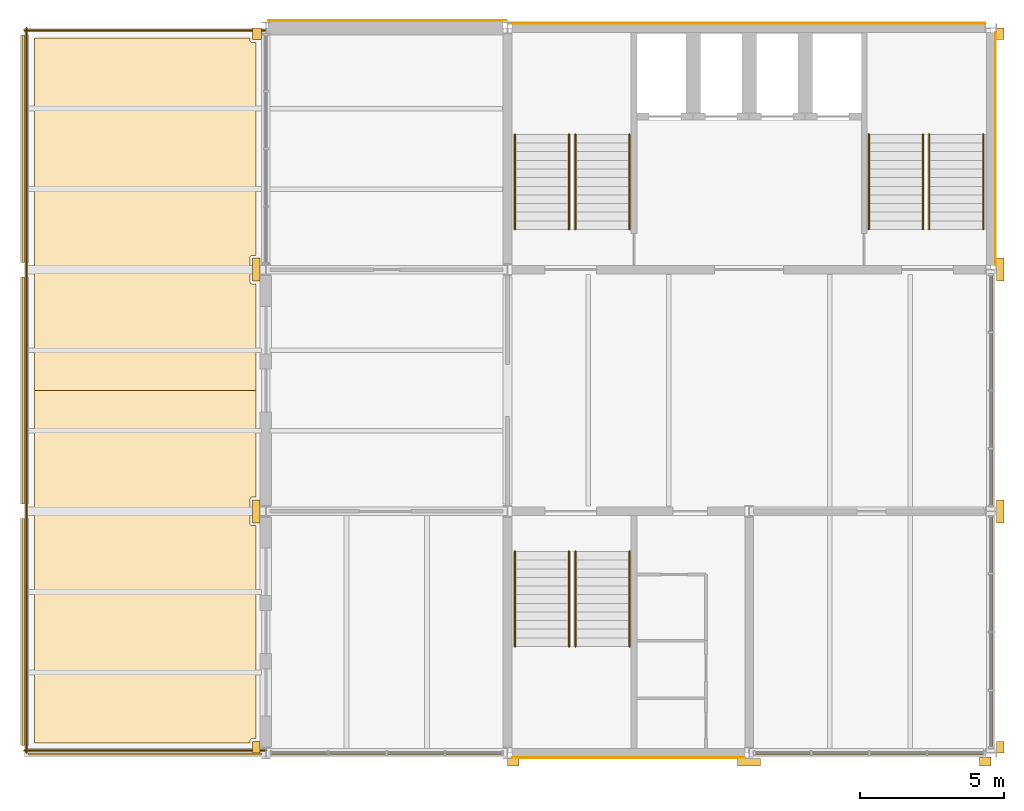
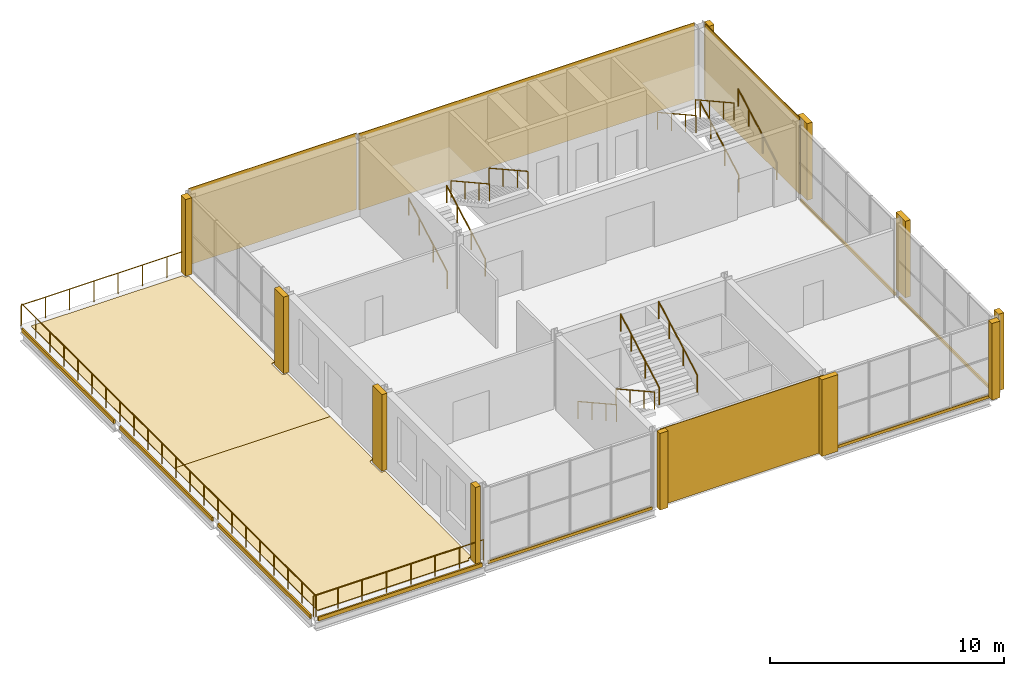
# One storey, part 9 of 9: 25 coverings, 15 railings.
"""IFC4 building model written with IfcOpenShell, lengths in metres."""

from ifc_helpers import new_model, si_unit, direction, frame, origin, origin_2d, place, context, subcontext, project, spatial, polyline, rectangle, circle, outline, extrude, material, layer, layer_set, type_object, element, save


model = new_model("IFC4")

# Units and contexts
model_context = context("Model", 3, precision=1e-05, world=origin(), true_north=direction((0.0, 1.0)))
body_context = subcontext(model_context, "Body", "Model", "MODEL_VIEW")
ifc_project = project(units=[si_unit("LENGTHUNIT", "METRE"), si_unit("AREAUNIT", "SQUARE_METRE"), si_unit("VOLUMEUNIT", "CUBIC_METRE"), si_unit("PLANEANGLEUNIT", "RADIAN"), si_unit("MASSUNIT", "GRAM", prefix="KILO")], contexts=[model_context])

# Site, building, storey
site_placement = place(None, origin())
site = spatial("IfcSite", under=ifc_project, at=site_placement, CompositionType="ELEMENT")
building_placement = place(site_placement, origin())
building = spatial("IfcBuilding", under=site, at=building_placement, Name="Galleria Vessillo Department Store", CompositionType="ELEMENT")
storey_placement = place(building_placement, frame((0.0, 0.0, 47.60009765625)))
storey = spatial("IfcBuildingStorey", under=building, at=storey_placement, Name="L10", CompositionType="ELEMENT", Elevation=47.60009765625)

# Coverings
ifc_material_1 = material(Name="Lime plaster (intonaco) ochre")
ifc_layer_1 = layer(ifc_material_1, 0.030029296875)
ifc_layer_set_1 = layer_set([ifc_layer_1], Name="Lime plaster (intonaco) ochre")
covering_type_1 = type_object("IfcCoveringType", Name="Lime plaster render 30 mm", PredefinedType="CLADDING", material=ifc_layer_set_1)
covering_1_placement = place(storey_placement, frame((96.62255859375, 63.264892578125, 0.0), z_axis=(0.0, 0.0, 1.0), x_axis=(1.0, 0.0, 0.0)))
element("IfcCovering", 1, at=covering_1_placement, inside=storey, type_object=covering_type_1, Name="Wall cladding S-TN-L10-01", PredefinedType="CLADDING", context=body_context, shape_type="SweptSolid", body=[
    extrude(rectangle(XDim=8.29541015625, YDim=0.030029296875, at=origin_2d()), origin(), (0.0, 0.0, 1.0), 4.0),
])
covering_2_placement = place(storey_placement, frame((109.114990234375, 63.1650390625, 0.0), z_axis=(0.0, 0.0, 1.0), x_axis=(1.0, 0.0, 0.0)))
element("IfcCovering", 2, at=covering_2_placement, inside=storey, type_object=covering_type_1, Name="Wall cladding S-CW-TC-PARTY-L10", PredefinedType="CLADDING", context=body_context, shape_type="SweptSolid", body=[
    extrude(rectangle(XDim=16.570068359375, YDim=0.030029296875, at=origin_2d()), origin(), (0.0, 0.0, 1.0), 4.0),
])
ifc_material_2 = material(Name="Botticino limestone ashlar", Category="masonry")
ifc_layer_2 = layer(ifc_material_2, 0.14990234375)
ifc_layer_set_2 = layer_set([ifc_layer_2], Name="Botticino limestone ashlar")
covering_type_2 = type_object("IfcCoveringType", Name="Limestone slab-edge fascia 150 mm", PredefinedType="CLADDING", material=ifc_layer_set_2)
covering_3_placement = place(storey_placement, frame((83.9599609375, 42.0, -0.2001953125), z_axis=(0.0, 0.0, 1.0), x_axis=(1.0, 0.0, 0.0)))
element("IfcCovering", 3, at=covering_3_placement, inside=storey, type_object=covering_type_2, Name="Slab-edge fascia TW-L09-01", PredefinedType="CLADDING", context=body_context, shape_type="SweptSolid", body=[
    extrude(rectangle(XDim=0.080078125, YDim=7.89990234375, at=origin_2d()), origin(), (0.0, 0.0, 1.0), 0.199951171875),
])
covering_4_placement = place(storey_placement, frame((83.9599609375, 50.39990234375, -0.2001953125), z_axis=(0.0, 0.0, 1.0), x_axis=(1.0, 0.0, 0.0)))
element("IfcCovering", 4, at=covering_4_placement, inside=storey, type_object=covering_type_2, Name="Slab-edge fascia TW-L09-02", PredefinedType="CLADDING", context=body_context, shape_type="SweptSolid", body=[
    extrude(rectangle(XDim=0.080078125, YDim=7.900146484375, at=origin_2d()), origin(), (0.0, 0.0, 1.0), 0.199951171875),
])
covering_5_placement = place(storey_placement, frame((83.9599609375, 58.800048828125, -0.2001953125), z_axis=(0.0, 0.0, 1.0), x_axis=(1.0, 0.0, 0.0)))
element("IfcCovering", 5, at=covering_5_placement, inside=storey, type_object=covering_type_2, Name="Slab-edge fascia TW-L09-03", PredefinedType="CLADDING", context=body_context, shape_type="SweptSolid", body=[
    extrude(rectangle(XDim=0.080078125, YDim=7.89990234375, at=origin_2d()), origin(), (0.0, 0.0, 1.0), 0.199951171875),
])
covering_6_placement = place(storey_placement, frame((88.199951171875, 37.760009765625, -0.2001953125), z_axis=(0.0, 0.0, 1.0), x_axis=(1.0, 0.0, 0.0)))
element("IfcCovering", 6, at=covering_6_placement, inside=storey, type_object=covering_type_2, Name="Slab-edge fascia TS-L09-01", PredefinedType="CLADDING", context=body_context, shape_type="SweptSolid", body=[
    extrude(rectangle(XDim=8.099853515625, YDim=0.080078125, at=origin_2d()), origin(), (0.0, 0.0, 1.0), 0.199951171875),
])
covering_7_placement = place(storey_placement, frame((96.60009765625, 37.760009765625, -0.14990234375), z_axis=(0.0, 0.0, 1.0), x_axis=(1.0, 0.0, 0.0)))
element("IfcCovering", 7, at=covering_7_placement, inside=storey, type_object=covering_type_2, Name="Slab-edge fascia TS-L09-02", PredefinedType="CLADDING", context=body_context, shape_type="SweptSolid", body=[
    extrude(rectangle(XDim=8.10009765625, YDim=0.080078125, at=origin_2d()), origin(), (0.0, 0.0, 1.0), 0.14990234375),
])
covering_8_placement = place(storey_placement, frame((113.35009765625, 37.760009765625, -0.14990234375), z_axis=(0.0, 0.0, 1.0), x_axis=(1.0, 0.0, 0.0)))
element("IfcCovering", 8, at=covering_8_placement, inside=storey, type_object=covering_type_2, Name="Slab-edge fascia TS-L09-03", PredefinedType="CLADDING", context=body_context, shape_type="SweptSolid", body=[
    extrude(rectangle(XDim=8.000244140625, YDim=0.080078125, at=origin_2d()), origin(), (0.0, 0.0, 1.0), 0.14990234375),
])
covering_9_placement = place(storey_placement, frame((117.64013671875, 42.0, -0.14990234375), z_axis=(0.0, 0.0, 1.0), x_axis=(1.0, 0.0, 0.0)))
element("IfcCovering", 9, at=covering_9_placement, inside=storey, type_object=covering_type_2, Name="Slab-edge fascia TE-L09-01", PredefinedType="CLADDING", context=body_context, shape_type="SweptSolid", body=[
    extrude(rectangle(XDim=0.080078125, YDim=8.099853515625, at=origin_2d()), origin(), (0.0, 0.0, 1.0), 0.14990234375),
])
covering_10_placement = place(storey_placement, frame((117.64013671875, 50.39990234375, -0.14990234375), z_axis=(0.0, 0.0, 1.0), x_axis=(1.0, 0.0, 0.0)))
element("IfcCovering", 10, at=covering_10_placement, inside=storey, type_object=covering_type_2, Name="Slab-edge fascia TE-L09-02", PredefinedType="CLADDING", context=body_context, shape_type="SweptSolid", body=[
    extrude(rectangle(XDim=0.080078125, YDim=8.10009765625, at=origin_2d()), origin(), (0.0, 0.0, 1.0), 0.14990234375),
])
ifc_material_3 = material(Name="Botticino limestone ashlar", Category="masonry")
ifc_layer_3 = layer(ifc_material_3, 0.31005859375)
ifc_layer_set_3 = layer_set([ifc_layer_3], Name="Botticino limestone ashlar")
covering_type_3 = type_object("IfcCoveringType", Name="Limestone tower pilaster strip", PredefinedType="CLADDING", material=ifc_layer_set_3)
covering_11_placement = place(storey_placement, frame((92.06982421875, 38.0, 0.0), z_axis=(0.0, 0.0, 1.0), x_axis=(1.0, 0.0, 0.0)))
element("IfcCovering", 11, at=covering_11_placement, inside=storey, type_object=covering_type_3, Name="Tower pilaster strip W L10 37.8", PredefinedType="CLADDING", context=body_context, shape_type="SweptSolid", body=[
    extrude(rectangle(XDim=0.260009765625, YDim=0.39990234375, at=origin_2d()), origin(), (0.0, 0.0, 1.0), 4.0),
])
for number, where, z_axis, x_axis, name in (
    (12, (92.06982421875, 46.199951171875, 0.0), (0.0, 0.0, 1.0), (1.0, 0.0, 0.0), "Tower pilaster strip W L10 46.2"),
    (13, (92.06982421875, 54.60009765625, 0.0), (0.0, 0.0, 1.0), (1.0, 0.0, 0.0), "Tower pilaster strip W L10 54.6"),
):
    element("IfcCovering", number, at=place(storey_placement, frame(where, z_axis=z_axis, x_axis=x_axis)), inside=storey, type_object=covering_type_3, Name=name, PredefinedType="CLADDING", context=body_context, shape_type="SweptSolid", body=[
        extrude(rectangle(XDim=0.260009765625, YDim=0.800048828125, at=origin_2d()), origin(), (0.0, 0.0, 1.0), 4.0),
    ])
covering_12_placement = place(storey_placement, frame((92.094970703125, 62.800048828125, 0.0), z_axis=(0.0, 0.0, 1.0), x_axis=(1.0, 0.0, 0.0)))
element("IfcCovering", 14, at=covering_12_placement, inside=storey, type_object=covering_type_3, Name="Tower pilaster strip W L10 63.0", PredefinedType="CLADDING", context=body_context, shape_type="SweptSolid", body=[
    extrude(rectangle(XDim=0.31005859375, YDim=0.39990234375, at=origin_2d()), origin(), (0.0, 0.0, 1.0), 4.0),
])
covering_13_placement = place(storey_placement, frame((117.929931640625, 38.0, 0.0), z_axis=(0.0, 0.0, 1.0), x_axis=(1.0, 0.0, 0.0)))
element("IfcCovering", 15, at=covering_13_placement, inside=storey, type_object=covering_type_3, Name="Tower pilaster strip E L10 37.8", PredefinedType="CLADDING", context=body_context, shape_type="SweptSolid", body=[
    extrude(rectangle(XDim=0.260009765625, YDim=0.39990234375, at=origin_2d()), origin(), (0.0, 0.0, 1.0), 4.0),
])
for number, where, z_axis, x_axis, name in (
    (16, (117.929931640625, 46.199951171875, 0.0), (0.0, 0.0, 1.0), (1.0, 0.0, 0.0), "Tower pilaster strip E L10 46.2"),
    (17, (117.929931640625, 54.60009765625, 0.0), (0.0, 0.0, 1.0), (1.0, 0.0, 0.0), "Tower pilaster strip E L10 54.6"),
):
    element("IfcCovering", number, at=place(storey_placement, frame(where, z_axis=z_axis, x_axis=x_axis)), inside=storey, type_object=covering_type_3, Name=name, PredefinedType="CLADDING", context=body_context, shape_type="SweptSolid", body=[
        extrude(rectangle(XDim=0.260009765625, YDim=0.800048828125, at=origin_2d()), origin(), (0.0, 0.0, 1.0), 4.0),
    ])
covering_14_placement = place(storey_placement, frame((117.929931640625, 62.800048828125, 0.0), z_axis=(0.0, 0.0, 1.0), x_axis=(1.0, 0.0, 0.0)))
element("IfcCovering", 18, at=covering_14_placement, inside=storey, type_object=covering_type_3, Name="Tower pilaster strip E L10 63.0", PredefinedType="CLADDING", context=body_context, shape_type="SweptSolid", body=[
    extrude(rectangle(XDim=0.260009765625, YDim=0.39990234375, at=origin_2d()), origin(), (0.0, 0.0, 1.0), 4.0),
])
covering_15_placement = place(storey_placement, frame((101.0, 37.469970703125, 0.0), z_axis=(0.0, 0.0, 1.0), x_axis=(1.0, 0.0, 0.0)))
element("IfcCovering", 19, at=covering_15_placement, inside=storey, type_object=covering_type_3, Name="Tower pilaster strip S L10 100.8", PredefinedType="CLADDING", context=body_context, shape_type="SweptSolid", body=[
    extrude(rectangle(XDim=0.39990234375, YDim=0.260009765625, at=origin_2d()), origin(), (0.0, 0.0, 1.0), 4.0),
])
covering_16_placement = place(storey_placement, frame((109.199951171875, 37.469970703125, 0.0), z_axis=(0.0, 0.0, 1.0), x_axis=(1.0, 0.0, 0.0)))
element("IfcCovering", 20, at=covering_16_placement, inside=storey, type_object=covering_type_3, Name="Tower pilaster strip S L10 109.2", PredefinedType="CLADDING", context=body_context, shape_type="SweptSolid", body=[
    extrude(rectangle(XDim=0.800048828125, YDim=0.260009765625, at=origin_2d()), origin(), (0.0, 0.0, 1.0), 4.0),
])
covering_17_placement = place(storey_placement, frame((117.400146484375, 37.4951171875, 0.0), z_axis=(0.0, 0.0, 1.0), x_axis=(1.0, 0.0, 0.0)))
element("IfcCovering", 21, at=covering_17_placement, inside=storey, type_object=covering_type_3, Name="Tower pilaster strip S L10 117.6", PredefinedType="CLADDING", context=body_context, shape_type="SweptSolid", body=[
    extrude(rectangle(XDim=0.39990234375, YDim=0.31005859375, at=origin_2d()), origin(), (0.0, 0.0, 1.0), 4.0),
])
ifc_material_4 = material(Name="Botticino limestone ashlar", Category="masonry")
ifc_layer_4 = layer(ifc_material_4, 0.030029296875)
ifc_layer_set_4 = layer_set([ifc_layer_4], Name="Botticino limestone ashlar")
covering_type_4 = type_object("IfcCoveringType", Name="Limestone wall cladding 30 mm", PredefinedType="CLADDING", material=ifc_layer_set_4)
covering_18_placement = place(storey_placement, frame((117.76513671875, 58.800048828125, 0.0), z_axis=(0.0, 0.0, 1.0), x_axis=(1.0, 0.0, 0.0)))
element("IfcCovering", 22, at=covering_18_placement, inside=storey, type_object=covering_type_4, Name="Wall cladding S-CW-TC-EAST-L10", PredefinedType="CLADDING", context=body_context, shape_type="SweptSolid", body=[
    extrude(rectangle(XDim=0.030029296875, YDim=8.099853515625, at=origin_2d()), origin(), (0.0, 0.0, 1.0), 4.0),
])
covering_19_placement = place(storey_placement, frame((105.0, 37.635009765625, 0.0), z_axis=(0.0, 0.0, 1.0), x_axis=(1.0, 0.0, 0.0)))
element("IfcCovering", 23, at=covering_19_placement, inside=storey, type_object=covering_type_4, Name="Wall cladding S-CW-TS-PARTY-L10", PredefinedType="CLADDING", context=body_context, shape_type="SweptSolid", body=[
    extrude(rectangle(XDim=8.099853515625, YDim=0.030029296875, at=origin_2d()), origin(), (0.0, 0.0, 1.0), 4.0),
])
ifc_material_5 = material(Name="Serizzo granite paving", Category="masonry")
ifc_layer_5 = layer(ifc_material_5, 0.0400390625)
ifc_layer_set_5 = layer_set([ifc_layer_5], Name="Serizzo granite paving")
covering_type_5 = type_object("IfcCoveringType", Name="Serizzo stone terrace paving 40 mm", PredefinedType="FLOORING", material=ifc_layer_set_5)
covering_20_placement = place(storey_placement, origin())
element("IfcCovering", 24, at=covering_20_placement, inside=storey, type_object=covering_type_5, Name="Terrace paving L10 field 1", PredefinedType="FLOORING", context=body_context, shape_type="SweptSolid", body=[
    extrude(outline(polyline([(92.0498046875, 46.699951171875), (91.93994140625, 46.699951171875), (91.93017578125, 46.699462890625), (91.92041015625, 46.697998046875), (91.910888671875, 46.69580078125), (91.901611328125, 46.6923828125), (91.892822265625, 46.688232421875), (91.88427734375, 46.68310546875), (91.87646484375, 46.67724609375), (91.869140625, 46.670654296875), (91.862548828125, 46.663330078125), (91.856689453125, 46.655517578125), (91.851806640625, 46.647216796875), (91.847412109375, 46.63818359375), (91.84423828125, 46.629150390625), (91.841796875, 46.61962890625), (91.84033203125, 46.60986328125), (91.83984375, 46.60009765625), (91.83984375, 45.800048828125), (91.84033203125, 45.790283203125), (91.841796875, 45.780517578125), (91.84423828125, 45.77099609375), (91.847412109375, 45.76171875), (91.851806640625, 45.7529296875), (91.856689453125, 45.744384765625), (91.862548828125, 45.736572265625), (91.869140625, 45.729248046875), (91.87646484375, 45.72265625), (91.88427734375, 45.716796875), (91.892822265625, 45.7119140625), (91.901611328125, 45.70751953125), (91.910888671875, 45.704345703125), (91.92041015625, 45.701904296875), (91.93017578125, 45.700439453125), (91.93994140625, 45.699951171875), (92.0498046875, 45.699951171875), (92.0498046875, 38.300048828125), (91.93994140625, 38.300048828125), (91.93017578125, 38.299560546875), (91.92041015625, 38.298095703125), (91.910888671875, 38.295654296875), (91.901611328125, 38.29248046875), (91.892822265625, 38.2880859375), (91.88427734375, 38.283203125), (91.87646484375, 38.27734375), (91.869140625, 38.270751953125), (91.862548828125, 38.263427734375), (91.856689453125, 38.255615234375), (91.851806640625, 38.2470703125), (91.847412109375, 38.23828125), (91.84423828125, 38.22900390625), (91.841796875, 38.219482421875), (91.84033203125, 38.209716796875), (91.83984375, 38.199951171875), (91.83984375, 38.150146484375), (84.35009765625, 38.150146484375), (84.35009765625, 50.39990234375), (92.0498046875, 50.39990234375), (92.0498046875, 46.699951171875)])), origin(), (0.0, 0.0, 1.0), 0.0400390625),
])
covering_21_placement = place(storey_placement, origin())
element("IfcCovering", 25, at=covering_21_placement, inside=storey, type_object=covering_type_5, Name="Terrace paving L10 field 2", PredefinedType="FLOORING", context=body_context, shape_type="SweptSolid", body=[
    extrude(outline(polyline([(91.83984375, 62.64990234375), (91.83984375, 62.60009765625), (91.84033203125, 62.590087890625), (91.841796875, 62.58056640625), (91.84423828125, 62.571044921875), (91.847412109375, 62.561767578125), (91.851806640625, 62.552978515625), (91.856689453125, 62.54443359375), (91.862548828125, 62.53662109375), (91.869140625, 62.529296875), (91.87646484375, 62.522705078125), (91.88427734375, 62.516845703125), (91.892822265625, 62.51171875), (91.901611328125, 62.507568359375), (91.910888671875, 62.50439453125), (91.92041015625, 62.501953125), (91.93017578125, 62.50048828125), (91.93994140625, 62.5), (92.0498046875, 62.5), (92.0498046875, 55.10009765625), (91.93994140625, 55.10009765625), (91.93017578125, 55.099609375), (91.92041015625, 55.09814453125), (91.910888671875, 55.095703125), (91.901611328125, 55.092529296875), (91.892822265625, 55.08837890625), (91.88427734375, 55.083251953125), (91.87646484375, 55.077392578125), (91.869140625, 55.07080078125), (91.862548828125, 55.0634765625), (91.856689453125, 55.0556640625), (91.851806640625, 55.047119140625), (91.847412109375, 55.038330078125), (91.84423828125, 55.029052734375), (91.841796875, 55.01953125), (91.84033203125, 55.010009765625), (91.83984375, 55.0), (91.83984375, 54.2001953125), (91.84033203125, 54.190185546875), (91.841796875, 54.1806640625), (91.84423828125, 54.171142578125), (91.847412109375, 54.161865234375), (91.851806640625, 54.153076171875), (91.856689453125, 54.14453125), (91.862548828125, 54.13671875), (91.869140625, 54.12939453125), (91.87646484375, 54.122802734375), (91.88427734375, 54.116943359375), (91.892822265625, 54.11181640625), (91.901611328125, 54.107666015625), (91.910888671875, 54.1044921875), (91.92041015625, 54.10205078125), (91.93017578125, 54.1005859375), (91.93994140625, 54.10009765625), (92.0498046875, 54.10009765625), (92.0498046875, 50.39990234375), (84.35009765625, 50.39990234375), (84.35009765625, 62.64990234375), (91.83984375, 62.64990234375)])), origin(), (0.0, 0.0, 1.0), 0.0400390625),
])

# Railings
ifc_material_6 = material(Name="Stainless steel tube", Category="steel")
railing_type_1 = type_object("IfcRailingType", Name="Stair handrail steel tube 48 mm", PredefinedType="HANDRAIL", material=ifc_material_6)
for number, where, name in (
    (26, (101.06005859375, 56.0, 0.166748046875), "Handrail ST8 L10 flight 1A"),
    (27, (102.93994140625, 56.0, 0.166748046875), "Handrail ST8 L10 flight 1B"),
):
    element("IfcRailing", number, at=place(storey_placement, frame(where)), inside=storey, type_object=railing_type_1, Name=name, PredefinedType="HANDRAIL", context=body_context, shape_type="SweptSolid", body=[
        extrude(circle(Radius=0.02392578125, at=origin_2d()), frame((0.0, 0.0, 0.89599609375), z_axis=(0.0, 0.874199221805, 0.485567421267), x_axis=(-1.0, 0.0, 0.0)), (0.0, 0.0, 1.0), 1.37255859375),
        extrude(circle(Radius=0.02392578125, at=origin_2d()), frame((0.0, 1.199951171875, 1.5625), z_axis=(0.0, 0.874123717778, 0.485703331282), x_axis=(-1.0, 0.0, 0.0)), (0.0, 0.0, 1.0), 1.372802734375),
        extrude(circle(Radius=0.02392578125, at=origin_2d()), frame((0.0, 2.39990234375, 2.22900390625), z_axis=(0.0, 0.874190826042, 0.485582536407), x_axis=(-1.0, 0.0, 0.0)), (0.0, 0.0, 1.0), 1.02978515625),
        extrude(circle(Radius=0.02099609375, at=origin_2d()), origin(), (0.0, 0.0, 1.0), 0.871826171875),
        extrude(circle(Radius=0.02099609375, at=origin_2d()), frame((0.0, 1.199951171875, 0.66650390625)), (0.0, 0.0, 1.0), 0.871826171875),
        extrude(circle(Radius=0.02099609375, at=origin_2d()), frame((0.0, 2.39990234375, 1.333251953125)), (0.0, 0.0, 1.0), 0.871826171875),
        extrude(circle(Radius=0.02099609375, at=origin_2d()), frame((0.0, 3.300048828125, 1.833251953125)), (0.0, 0.0, 1.0), 0.871826171875),
    ])
for number, where, name in (
    (28, (105.0400390625, 59.300048828125, 2.166748046875), "Handrail ST8 L10 flight 2A"),
    (29, (103.16015625, 59.300048828125, 2.166748046875), "Handrail ST8 L10 flight 2B"),
):
    element("IfcRailing", number, at=place(storey_placement, frame(where)), inside=storey, type_object=railing_type_1, Name=name, PredefinedType="HANDRAIL", context=body_context, shape_type="SweptSolid", body=[
        extrude(circle(Radius=0.02392578125, at=origin_2d()), frame((0.0, 0.0, 0.89599609375), z_axis=(0.0, -0.874199221805, 0.485567421267), x_axis=(1.0, 0.0, 0.0)), (0.0, 0.0, 1.0), 1.37255859375),
        extrude(circle(Radius=0.02392578125, at=origin_2d()), frame((0.0, -1.199951171875, 1.5625), z_axis=(0.0, -0.874123717778, 0.485703331282), x_axis=(1.0, 0.0, 0.0)), (0.0, 0.0, 1.0), 1.372802734375),
        extrude(circle(Radius=0.02392578125, at=origin_2d()), frame((0.0, -2.39990234375, 2.22900390625), z_axis=(0.0, -0.874190826042, 0.485582536407), x_axis=(1.0, 0.0, 0.0)), (0.0, 0.0, 1.0), 1.02978515625),
        extrude(circle(Radius=0.02099609375, at=origin_2d()), origin(), (0.0, 0.0, 1.0), 0.871826171875),
        extrude(circle(Radius=0.02099609375, at=origin_2d()), frame((0.0, -1.199951171875, 0.66650390625)), (0.0, 0.0, 1.0), 0.871826171875),
        extrude(circle(Radius=0.02099609375, at=origin_2d()), frame((0.0, -2.39990234375, 1.333251953125)), (0.0, 0.0, 1.0), 0.871826171875),
        extrude(circle(Radius=0.02099609375, at=origin_2d()), frame((0.0, -3.300048828125, 1.833251953125)), (0.0, 0.0, 1.0), 0.871826171875),
    ])
for number, where, name in (
    (30, (115.4599609375, 56.0, 0.166748046875), "Handrail ST9 L10 flight 1A"),
    (31, (117.33984375, 56.0, 0.166748046875), "Handrail ST9 L10 flight 1B"),
):
    element("IfcRailing", number, at=place(storey_placement, frame(where)), inside=storey, type_object=railing_type_1, Name=name, PredefinedType="HANDRAIL", context=body_context, shape_type="SweptSolid", body=[
        extrude(circle(Radius=0.02392578125, at=origin_2d()), frame((0.0, 0.0, 0.89599609375), z_axis=(0.0, 0.874199221805, 0.485567421267), x_axis=(-1.0, 0.0, 0.0)), (0.0, 0.0, 1.0), 1.37255859375),
        extrude(circle(Radius=0.02392578125, at=origin_2d()), frame((0.0, 1.199951171875, 1.5625), z_axis=(0.0, 0.874123717778, 0.485703331282), x_axis=(-1.0, 0.0, 0.0)), (0.0, 0.0, 1.0), 1.372802734375),
        extrude(circle(Radius=0.02392578125, at=origin_2d()), frame((0.0, 2.39990234375, 2.22900390625), z_axis=(0.0, 0.874190826042, 0.485582536407), x_axis=(-1.0, 0.0, 0.0)), (0.0, 0.0, 1.0), 1.02978515625),
        extrude(circle(Radius=0.02099609375, at=origin_2d()), origin(), (0.0, 0.0, 1.0), 0.871826171875),
        extrude(circle(Radius=0.02099609375, at=origin_2d()), frame((0.0, 1.199951171875, 0.66650390625)), (0.0, 0.0, 1.0), 0.871826171875),
        extrude(circle(Radius=0.02099609375, at=origin_2d()), frame((0.0, 2.39990234375, 1.333251953125)), (0.0, 0.0, 1.0), 0.871826171875),
        extrude(circle(Radius=0.02099609375, at=origin_2d()), frame((0.0, 3.300048828125, 1.833251953125)), (0.0, 0.0, 1.0), 0.871826171875),
    ])
for number, where, name in (
    (32, (115.239990234375, 59.300048828125, 2.166748046875), "Handrail ST9 L10 flight 2A"),
    (33, (113.360107421875, 59.300048828125, 2.166748046875), "Handrail ST9 L10 flight 2B"),
    (34, (102.93994140625, 44.800048828125, 0.166748046875), "Handrail ST12 L10 flight 1A"),
    (35, (101.06005859375, 44.800048828125, 0.166748046875), "Handrail ST12 L10 flight 1B"),
):
    element("IfcRailing", number, at=place(storey_placement, frame(where)), inside=storey, type_object=railing_type_1, Name=name, PredefinedType="HANDRAIL", context=body_context, shape_type="SweptSolid", body=[
        extrude(circle(Radius=0.02392578125, at=origin_2d()), frame((0.0, 0.0, 0.89599609375), z_axis=(0.0, -0.874199221805, 0.485567421267), x_axis=(1.0, 0.0, 0.0)), (0.0, 0.0, 1.0), 1.37255859375),
        extrude(circle(Radius=0.02392578125, at=origin_2d()), frame((0.0, -1.199951171875, 1.5625), z_axis=(0.0, -0.874123717778, 0.485703331282), x_axis=(1.0, 0.0, 0.0)), (0.0, 0.0, 1.0), 1.372802734375),
        extrude(circle(Radius=0.02392578125, at=origin_2d()), frame((0.0, -2.39990234375, 2.22900390625), z_axis=(0.0, -0.874190826042, 0.485582536407), x_axis=(1.0, 0.0, 0.0)), (0.0, 0.0, 1.0), 1.02978515625),
        extrude(circle(Radius=0.02099609375, at=origin_2d()), origin(), (0.0, 0.0, 1.0), 0.871826171875),
        extrude(circle(Radius=0.02099609375, at=origin_2d()), frame((0.0, -1.199951171875, 0.66650390625)), (0.0, 0.0, 1.0), 0.871826171875),
        extrude(circle(Radius=0.02099609375, at=origin_2d()), frame((0.0, -2.39990234375, 1.333251953125)), (0.0, 0.0, 1.0), 0.871826171875),
        extrude(circle(Radius=0.02099609375, at=origin_2d()), frame((0.0, -3.300048828125, 1.833251953125)), (0.0, 0.0, 1.0), 0.871826171875),
    ])
for number, where, name in (
    (36, (103.16015625, 41.5, 2.166748046875), "Handrail ST12 L10 flight 2A"),
    (37, (105.0400390625, 41.5, 2.166748046875), "Handrail ST12 L10 flight 2B"),
):
    element("IfcRailing", number, at=place(storey_placement, frame(where)), inside=storey, type_object=railing_type_1, Name=name, PredefinedType="HANDRAIL", context=body_context, shape_type="SweptSolid", body=[
        extrude(circle(Radius=0.02392578125, at=origin_2d()), frame((0.0, 0.0, 0.89599609375), z_axis=(0.0, 0.874199221805, 0.485567421267), x_axis=(-1.0, 0.0, 0.0)), (0.0, 0.0, 1.0), 1.37255859375),
        extrude(circle(Radius=0.02392578125, at=origin_2d()), frame((0.0, 1.199951171875, 1.5625), z_axis=(0.0, 0.874123717778, 0.485703331282), x_axis=(-1.0, 0.0, 0.0)), (0.0, 0.0, 1.0), 1.372802734375),
        extrude(circle(Radius=0.02392578125, at=origin_2d()), frame((0.0, 2.39990234375, 2.22900390625), z_axis=(0.0, 0.874190826042, 0.485582536407), x_axis=(-1.0, 0.0, 0.0)), (0.0, 0.0, 1.0), 1.02978515625),
        extrude(circle(Radius=0.02099609375, at=origin_2d()), origin(), (0.0, 0.0, 1.0), 0.871826171875),
        extrude(circle(Radius=0.02099609375, at=origin_2d()), frame((0.0, 1.199951171875, 0.66650390625)), (0.0, 0.0, 1.0), 0.871826171875),
        extrude(circle(Radius=0.02099609375, at=origin_2d()), frame((0.0, 2.39990234375, 1.333251953125)), (0.0, 0.0, 1.0), 0.871826171875),
        extrude(circle(Radius=0.02099609375, at=origin_2d()), frame((0.0, 3.300048828125, 1.833251953125)), (0.0, 0.0, 1.0), 0.871826171875),
    ])
ifc_material_7 = material(Name="Stainless steel tube", Category="steel")
railing_type_2 = type_object("IfcRailingType", Name="Terrace edge guard 1100 mm", PredefinedType="GUARDRAIL", material=ifc_material_7)
railing_placement = place(storey_placement, frame((84.080078125, 37.800048828125, 0.0)))
element("IfcRailing", 38, at=railing_placement, inside=storey, type_object=railing_type_2, Name="Terrace guard L10-01", PredefinedType="GUARDRAIL", context=body_context, shape_type="SweptSolid", body=[
    extrude(circle(Radius=0.02392578125, at=origin_2d()), frame((0.0, 0.0, 1.076171875), z_axis=(0.0, 1.0, 0.0), x_axis=(-1.0, 0.0, 0.0)), (0.0, 0.0, 1.0), 25.199951171875),
    extrude(circle(Radius=0.02099609375, at=origin_2d()), origin(), (0.0, 0.0, 1.0), 1.052001953125),
    extrude(circle(Radius=0.02099609375, at=origin_2d()), frame((0.0, 1.199951171875, 0.0)), (0.0, 0.0, 1.0), 1.052001953125),
    extrude(circle(Radius=0.02099609375, at=origin_2d()), frame((0.0, 2.39990234375, 0.0)), (0.0, 0.0, 1.0), 1.052001953125),
    extrude(circle(Radius=0.02099609375, at=origin_2d()), frame((0.0, 3.60009765625, 0.0)), (0.0, 0.0, 1.0), 1.052001953125),
    extrude(circle(Radius=0.02099609375, at=origin_2d()), frame((0.0, 4.800048828125, 0.0)), (0.0, 0.0, 1.0), 1.052001953125),
    extrude(circle(Radius=0.02099609375, at=origin_2d()), frame((0.0, 6.0, 0.0)), (0.0, 0.0, 1.0), 1.052001953125),
    extrude(circle(Radius=0.02099609375, at=origin_2d()), frame((0.0, 7.199951171875, 0.0)), (0.0, 0.0, 1.0), 1.052001953125),
    extrude(circle(Radius=0.02099609375, at=origin_2d()), frame((0.0, 8.39990234375, 0.0)), (0.0, 0.0, 1.0), 1.052001953125),
    extrude(circle(Radius=0.02099609375, at=origin_2d()), frame((0.0, 9.60009765625, 0.0)), (0.0, 0.0, 1.0), 1.052001953125),
    extrude(circle(Radius=0.02099609375, at=origin_2d()), frame((0.0, 10.800048828125, 0.0)), (0.0, 0.0, 1.0), 1.052001953125),
    extrude(circle(Radius=0.02099609375, at=origin_2d()), frame((0.0, 12.0, 0.0)), (0.0, 0.0, 1.0), 1.052001953125),
    extrude(circle(Radius=0.02099609375, at=origin_2d()), frame((0.0, 13.199951171875, 0.0)), (0.0, 0.0, 1.0), 1.052001953125),
    extrude(circle(Radius=0.02099609375, at=origin_2d()), frame((0.0, 14.39990234375, 0.0)), (0.0, 0.0, 1.0), 1.052001953125),
    extrude(circle(Radius=0.02099609375, at=origin_2d()), frame((0.0, 15.599853515625, 0.0)), (0.0, 0.0, 1.0), 1.052001953125),
    extrude(circle(Radius=0.02099609375, at=origin_2d()), frame((0.0, 16.800048828125, 0.0)), (0.0, 0.0, 1.0), 1.052001953125),
    extrude(circle(Radius=0.02099609375, at=origin_2d()), frame((0.0, 18.0, 0.0)), (0.0, 0.0, 1.0), 1.052001953125),
    extrude(circle(Radius=0.02099609375, at=origin_2d()), frame((0.0, 19.199951171875, 0.0)), (0.0, 0.0, 1.0), 1.052001953125),
    extrude(circle(Radius=0.02099609375, at=origin_2d()), frame((0.0, 20.39990234375, 0.0)), (0.0, 0.0, 1.0), 1.052001953125),
    extrude(circle(Radius=0.02099609375, at=origin_2d()), frame((0.0, 21.599853515625, 0.0)), (0.0, 0.0, 1.0), 1.052001953125),
    extrude(circle(Radius=0.02099609375, at=origin_2d()), frame((0.0, 22.800048828125, 0.0)), (0.0, 0.0, 1.0), 1.052001953125),
    extrude(circle(Radius=0.02099609375, at=origin_2d()), frame((0.0, 24.0, 0.0)), (0.0, 0.0, 1.0), 1.052001953125),
    extrude(circle(Radius=0.02099609375, at=origin_2d()), frame((0.0, 25.199951171875, 0.0)), (0.0, 0.0, 1.0), 1.052001953125),
])
for number, where, name in (
    (39, (84.0, 37.880126953125, 0.0), "Terrace guard L10-02"),
    (40, (84.0, 62.919921875, 0.0), "Terrace guard L10-03"),
):
    element("IfcRailing", number, at=place(storey_placement, frame(where)), inside=storey, type_object=railing_type_2, Name=name, PredefinedType="GUARDRAIL", context=body_context, shape_type="SweptSolid", body=[
        extrude(circle(Radius=0.02392578125, at=origin_2d()), frame((0.0, 0.0, 1.076171875), z_axis=(1.0, 0.0, 0.0), x_axis=(0.0, 1.0, 0.0)), (0.0, 0.0, 1.0), 8.39990234375),
        extrude(circle(Radius=0.02099609375, at=origin_2d()), origin(), (0.0, 0.0, 1.0), 1.052001953125),
        extrude(circle(Radius=0.02099609375, at=origin_2d()), frame((1.199951171875, 0.0, 0.0)), (0.0, 0.0, 1.0), 1.052001953125),
        extrude(circle(Radius=0.02099609375, at=origin_2d()), frame((2.39990234375, 0.0, 0.0)), (0.0, 0.0, 1.0), 1.052001953125),
        extrude(circle(Radius=0.02099609375, at=origin_2d()), frame((3.599853515625, 0.0, 0.0)), (0.0, 0.0, 1.0), 1.052001953125),
        extrude(circle(Radius=0.02099609375, at=origin_2d()), frame((4.800048828125, 0.0, 0.0)), (0.0, 0.0, 1.0), 1.052001953125),
        extrude(circle(Radius=0.02099609375, at=origin_2d()), frame((6.0, 0.0, 0.0)), (0.0, 0.0, 1.0), 1.052001953125),
        extrude(circle(Radius=0.02099609375, at=origin_2d()), frame((7.199951171875, 0.0, 0.0)), (0.0, 0.0, 1.0), 1.052001953125),
        extrude(circle(Radius=0.02099609375, at=origin_2d()), frame((8.39990234375, 0.0, 0.0)), (0.0, 0.0, 1.0), 1.052001953125),
    ])

save(model, "model.ifc")
